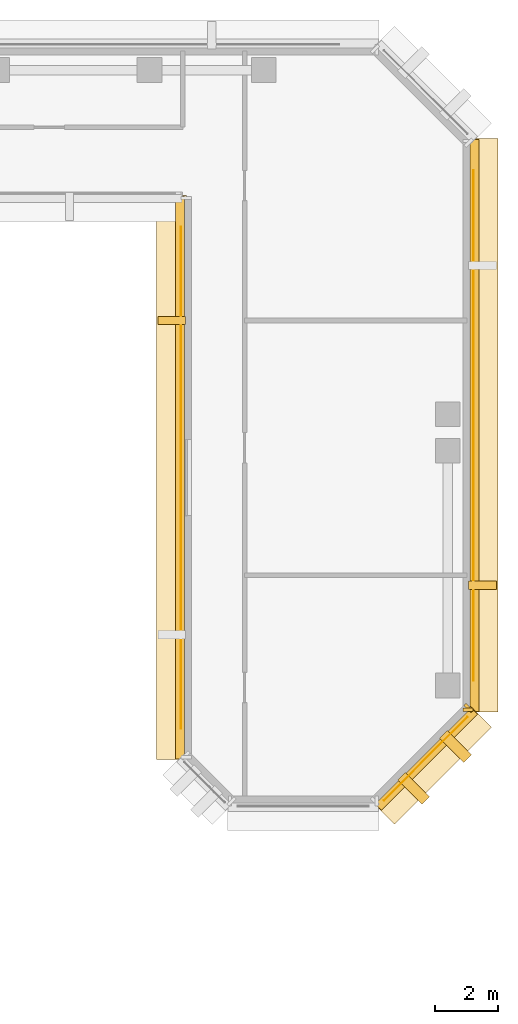
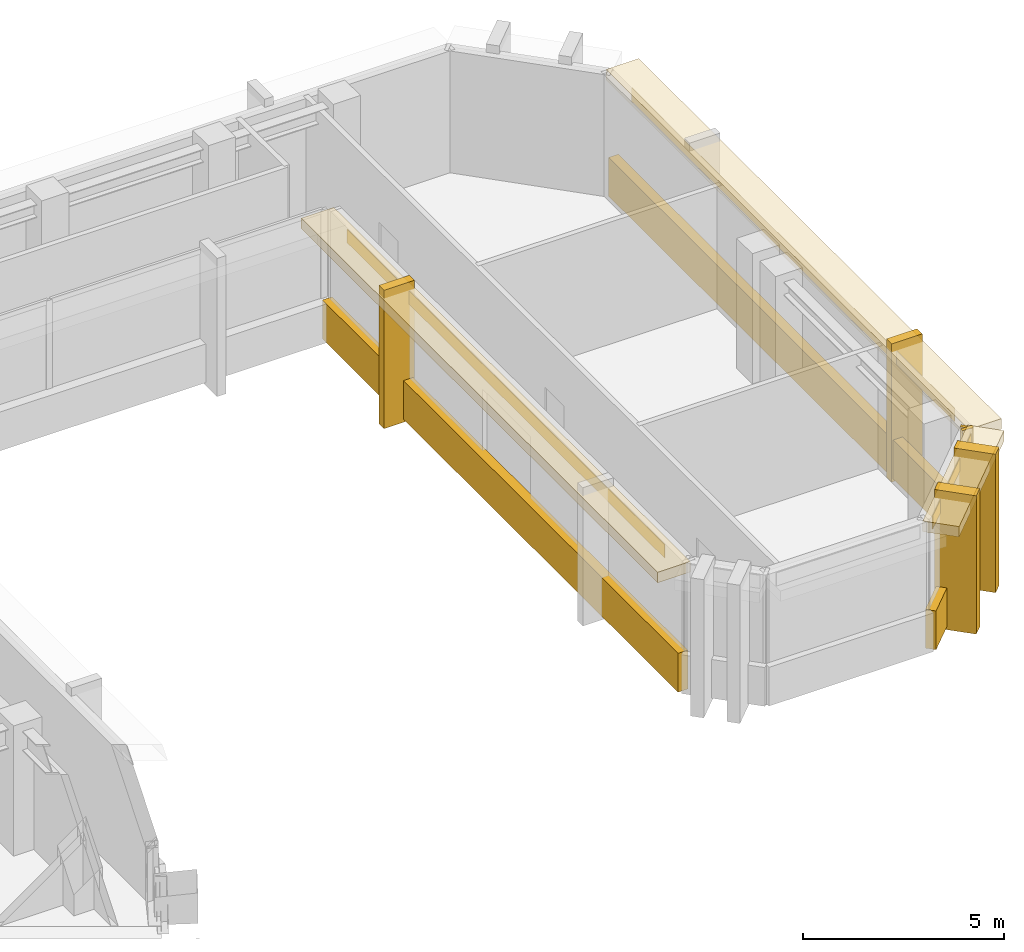
# One storey, part 9 of 11: 15 coverings.
"""IFC4 building model written with IfcOpenShell, lengths in metres."""

import ifcopenshell
import ifcopenshell.guid

model = None  # the IFC model being written
_history = None  # IfcOwnerHistory: only IFC2X3 demands one
_inside = {}  # id of a spatial element -> (the spatial element, [elements in it])
_under = {}  # id of a project, library or spatial element -> (it, [spatial elements below it])
_declared = {}  # id of a project -> (the project, [libraries it declares])
_typed = {}  # id of a type object -> (the type object, [elements of that type])
_made_of = {}  # id of a material, layer set ... -> (it, [elements and type objects made of it])


def new_model(schema):
    """Start an empty IFC model of exactly this schema.

    Asked for "IFC4X3", IfcOpenShell would pick the latest addendum, in which some entities
    have other attributes; the version numbers below select the first issue.
    IFC2X3 requires an IfcOwnerHistory on every rooted entity: one is made here for all.
    """
    global model, _history
    if schema == "IFC4X3":
        model = ifcopenshell.file(schema_version=(4, 3, 0, 0))
    else:
        model = ifcopenshell.file(schema=schema)
    _inside.clear()
    _under.clear()
    _declared.clear()
    _typed.clear()
    _made_of.clear()
    _history = None
    if model.schema == "IFC2X3":
        org = make("IfcOrganization", Name="unknown")
        user = make(
            "IfcPersonAndOrganization",
            ThePerson=make("IfcPerson", FamilyName="unknown"),
            TheOrganization=org,
        )
        app = make(
            "IfcApplication",
            ApplicationDeveloper=org,
            Version="unknown",
            ApplicationFullName="unknown",
            ApplicationIdentifier="unknown",
        )
        _history = make(
            "IfcOwnerHistory",
            OwningUser=user,
            OwningApplication=app,
            ChangeAction="ADDED",
            CreationDate=0,
        )
    return model


def make(cls, **values):
    """One entity of the class cls with the attributes given. An attribute that is None is left unset."""
    return model.create_entity(
        cls, **{name: value for name, value in values.items() if value is not None}
    )


def rooted(cls, **values):
    """An entity with a GlobalId (a new one), such as an element, a storey or a relation."""
    return make(cls, GlobalId=ifcopenshell.guid.new(), OwnerHistory=_history, **values)


def si_unit(unit_type, name, prefix=None):
    """IfcSIUnit, for example si_unit("LENGTHUNIT", "METRE", prefix="MILLI")."""
    return make("IfcSIUnit", UnitType=unit_type, Prefix=prefix, Name=name)


def assignment(units):
    """IfcUnitAssignment: the units of a project."""
    return None if units is None else make("IfcUnitAssignment", Units=units)


def point(xyz):
    """IfcCartesianPoint."""
    return None if xyz is None else make("IfcCartesianPoint", Coordinates=xyz)


def direction(xyz):
    """IfcDirection."""
    return None if xyz is None else make("IfcDirection", DirectionRatios=xyz)


def frame(location, z_axis=None, x_axis=None):
    """IfcAxis2Placement3D, a coordinate frame: its origin and axes. An axis left out is left unset."""
    return make(
        "IfcAxis2Placement3D",
        Location=point(location),
        Axis=direction(z_axis),
        RefDirection=direction(x_axis),
    )


def frame_2d(location, x_axis=None):
    """IfcAxis2Placement2D, a coordinate frame in the plane: its origin and x axis."""
    return make(
        "IfcAxis2Placement2D", Location=point(location), RefDirection=direction(x_axis)
    )


def origin():
    """The frame at (0, 0, 0) with its axes left unset."""
    return frame((0.0, 0.0, 0.0))


def origin_2d():
    """The frame at (0, 0) in the plane with its x axis left unset."""
    return frame_2d((0.0, 0.0))


def place(relative_to, where):
    """IfcLocalPlacement: puts the frame where relative to a parent placement (None: the world)."""
    return make(
        "IfcLocalPlacement", PlacementRelTo=relative_to, RelativePlacement=where
    )


def context(
    kind, dimensions, precision=None, world=None, true_north=None, identifier=None
):
    """IfcGeometricRepresentationContext, for example the 3D "Model" context."""
    return make(
        "IfcGeometricRepresentationContext",
        ContextIdentifier=identifier,
        ContextType=kind,
        CoordinateSpaceDimension=dimensions,
        Precision=precision,
        WorldCoordinateSystem=world,
        TrueNorth=true_north,
    )


def subcontext(parent, identifier, kind, view, scale=None):
    """IfcGeometricRepresentationSubContext, for example "Body" below "Model"."""
    return make(
        "IfcGeometricRepresentationSubContext",
        ContextIdentifier=identifier,
        ContextType=kind,
        ParentContext=parent,
        TargetScale=scale,
        TargetView=view,
    )


def project(units=None, contexts=None):
    """IfcProject with its units and contexts."""
    return rooted(
        "IfcProject",
        Name="project",
        RepresentationContexts=contexts,
        UnitsInContext=assignment(units),
    )


def spatial(cls, under=None, at=None, **own):
    """A site, building, storey or space (cls), placed at a placement, below another one or the project."""
    s = rooted(cls, ObjectPlacement=at, **own)
    if under is not None:
        _under.setdefault(under.id(), (under, []))[1].append(s)
    return s


def profile(cls, at=None, kind="AREA", **sizes):
    """A parametric profile (cls). Its sizes go by their IFC names, for example OverallWidth=200.0."""
    return make(cls, ProfileType=kind, Position=at, **sizes)


def rectangle(**sizes):
    """IfcRectangleProfileDef."""
    return profile("IfcRectangleProfileDef", **sizes)


def extrude(swept, where, along, depth):
    """IfcExtrudedAreaSolid: the profile swept, set in the frame where, extruded along a direction by depth."""
    return make(
        "IfcExtrudedAreaSolid",
        SweptArea=swept,
        Position=where,
        ExtrudedDirection=direction(along),
        Depth=depth,
    )


def shape(context_of_items, identifier, shape_type, items):
    """IfcShapeRepresentation: the items that make up one representation, for example the "Body"."""
    return make(
        "IfcShapeRepresentation",
        ContextOfItems=context_of_items,
        RepresentationIdentifier=identifier,
        RepresentationType=shape_type,
        Items=items,
    )


def material(Name=None, Category=None):
    """IfcMaterial."""
    return make("IfcMaterial", Name=Name, Category=Category)


def layer(
    of_material, thickness, ventilated=None, Name=None, Category=None, Priority=None
):
    """IfcMaterialLayer: one layer of a wall or slab, of a material (None: an air gap)."""
    return make(
        "IfcMaterialLayer",
        Material=of_material,
        LayerThickness=thickness,
        IsVentilated=ventilated,
        Name=Name,
        Category=Category,
        Priority=Priority,
    )


def layer_set(layers, Name=None):
    """IfcMaterialLayerSet."""
    return make("IfcMaterialLayerSet", MaterialLayers=layers, LayerSetName=Name)


def made_of(thing, what):
    """Note that an element or type object is made of a material, layer set ...; save() writes the relation."""
    if what is not None:
        _made_of.setdefault(what.id(), (what, []))[1].append(thing)
    return thing


def type_object(cls, material=None, **own):
    """A type object (cls), such as IfcWallType, which elements share."""
    return made_of(rooted(cls, **own), material)


def element(
    cls,
    number,
    at=None,
    inside=None,
    cuts=None,
    type_object=None,
    material=None,
    context=None,
    identifier="Body",
    shape_type=None,
    held_by="IfcProductDefinitionShape",
    body=None,
    shapes=None,
    **own,
):
    """One element of the class cls, such as IfcWall. Its Tag is "e" and its number.

    at: its placement. inside: the storey or other place that contains it. cuts: it is an
    opening in that element (IfcRelVoidsElement). A single representation is given by context,
    identifier, shape_type and body (its items); several are given by shapes. held_by: the class
    of the entity that holds the representations. save() writes the other relations.
    """
    e = rooted(cls, Tag="e%d" % number, ObjectPlacement=at, **own)
    if body is not None:
        shapes = [shape(context, identifier, shape_type, body)]
    if shapes is not None:
        e.Representation = make(held_by, Representations=shapes)
    if inside is not None:
        _inside.setdefault(inside.id(), (inside, []))[1].append(e)
    if cuts is not None:
        rooted(
            "IfcRelVoidsElement", RelatingBuildingElement=cuts, RelatedOpeningElement=e
        )
    if type_object is not None:
        _typed.setdefault(type_object.id(), (type_object, []))[1].append(e)
    return made_of(e, material)


def aggregate(whole, parts):
    """IfcRelAggregates: a whole, such as a stair, and the parts it consists of."""
    return rooted("IfcRelAggregates", RelatingObject=whole, RelatedObjects=parts)


def save(model, path):
    """Write the relations noted so far, then the file.

    IfcRelAggregates (storeys below a building ...), IfcRelContainedInSpatialStructure (elements
    in a storey), IfcRelDefinesByType, IfcRelAssociatesMaterial and IfcRelDeclares: one each for
    every whole, place, type object, material and project.
    """
    for whole, parts in _under.values():
        aggregate(whole, parts)
    for where, things in _inside.values():
        rooted(
            "IfcRelContainedInSpatialStructure",
            RelatedElements=things,
            RelatingStructure=where,
        )
    for kind, things in _typed.values():
        rooted("IfcRelDefinesByType", RelatedObjects=things, RelatingType=kind)
    for what, things in _made_of.values():
        rooted("IfcRelAssociatesMaterial", RelatedObjects=things, RelatingMaterial=what)
    for by, libraries in _declared.values():
        rooted("IfcRelDeclares", RelatingContext=by, RelatedDefinitions=libraries)
    model.write(path)


model = new_model("IFC4")

# Units and contexts
model_context = context("Model", 3, precision=1e-05, world=origin(), true_north=direction((0.0, 1.0)))
body_context = subcontext(model_context, "Body", "Model", "MODEL_VIEW")
ifc_project = project(units=[si_unit("LENGTHUNIT", "METRE"), si_unit("AREAUNIT", "SQUARE_METRE"), si_unit("VOLUMEUNIT", "CUBIC_METRE"), si_unit("PLANEANGLEUNIT", "RADIAN"), si_unit("MASSUNIT", "GRAM", prefix="KILO")], contexts=[model_context])

# Site, building, storey
site_placement = place(None, origin())
site = spatial("IfcSite", under=ifc_project, at=site_placement, CompositionType="ELEMENT")
building_placement = place(site_placement, origin())
building = spatial("IfcBuilding", under=site, at=building_placement, Name="Kefirva Bronze Tower", CompositionType="ELEMENT")
storey_placement = place(building_placement, frame((0.0, 0.0, 243.5400390625)))
storey = spatial("IfcBuildingStorey", under=building, at=storey_placement, Name="L59", CompositionType="ELEMENT", Elevation=243.5400390625)

# Coverings
ifc_material = material(Name="Bronze anodised aluminium", Category="aluminium")
ifc_layer_1 = layer(ifc_material, 0.02001953125, Name="Bronze anodised aluminium")
ifc_layer_set_1 = layer_set([ifc_layer_1], Name="Bronze anodised aluminium")
covering_type_1 = type_object("IfcCoveringType", Name="Anodised Bronze Spandrel Cladding 20mm", PredefinedType="CLADDING", material=ifc_layer_set_1)
covering_1_placement = place(storey_placement, frame((40.989990234375, 32.35009765625, 3.2900390625), z_axis=(0.0, 0.0, 1.0), x_axis=(0.0, -1.0, 0.0)))
element("IfcCovering", 1, at=covering_1_placement, inside=storey, type_object=covering_type_1, Name="L59 Bronze Spandrel Cladding 5", PredefinedType="CLADDING", context=body_context, shape_type="SweptSolid", body=[
    extrude(rectangle(XDim=15.8310546875, YDim=0.02001953125, at=origin_2d()), origin(), (0.0, 0.0, 1.0), 0.39990234375),
])
covering_2_placement = place(storey_placement, frame((40.9599609375, 32.35009765625, -0.16015625), z_axis=(0.0, 0.0, 1.0), x_axis=(0.0, -1.0, 0.0)))
element("IfcCovering", 2, at=covering_2_placement, inside=storey, type_object=covering_type_1, Name="L59 Streamline Horizontal Spandrel Band 7", PredefinedType="CLADDING", context=body_context, shape_type="SweptSolid", body=[
    extrude(rectangle(XDim=17.739990234375, YDim=0.280029296875, at=origin_2d()), origin(), (0.0, 0.0, 1.0), 1.179931640625),
])
covering_3_placement = place(storey_placement, frame((48.70703125, 23.492919921875, 3.2900390625), z_axis=(0.0, 0.0, 1.0), x_axis=(0.707106781187, 0.707106781187, 0.0)))
element("IfcCovering", 3, at=covering_3_placement, inside=storey, type_object=covering_type_1, Name="L59 Bronze Spandrel Cladding 8", PredefinedType="CLADDING", context=body_context, shape_type="SweptSolid", body=[
    extrude(rectangle(XDim=3.719482421875, YDim=0.02001953125, at=origin_2d()), origin(), (0.0, 0.0, 1.0), 0.39990234375),
])
covering_4_placement = place(storey_placement, frame((50.06201171875, 25.08837890625, 0.0), z_axis=(0.0, 0.0, 1.0), x_axis=(0.707106781187, 0.707106781187, 0.0)))
element("IfcCovering", 4, at=covering_4_placement, inside=storey, type_object=covering_type_1, Name="L59 Facade Joint Closure Panel 8E", PredefinedType="CLADDING", context=body_context, shape_type="SweptSolid", body=[
    extrude(rectangle(XDim=0.10009765625, YDim=0.320068359375, at=origin_2d()), origin(), (0.0, 0.0, 1.0), 3.7099609375),
])
covering_5_placement = place(storey_placement, frame((48.728271484375, 23.4716796875, -0.16015625), z_axis=(0.0, 0.0, 1.0), x_axis=(0.707106781187, 0.707106781187, 0.0)))
element("IfcCovering", 5, at=covering_5_placement, inside=storey, type_object=covering_type_1, Name="L59 Streamline Horizontal Spandrel Band 10", PredefinedType="CLADDING", context=body_context, shape_type="SweptSolid", body=[
    extrude(rectangle(XDim=4.28271484375, YDim=0.280029296875, at=origin_2d()), origin(), (0.0, 0.0, 1.0), 1.179931640625),
])
covering_6_placement = place(storey_placement, frame((50.2099609375, 34.0, 3.2900390625), z_axis=(0.0, 0.0, 1.0), x_axis=(0.0, 1.0, 0.0)))
element("IfcCovering", 6, at=covering_6_placement, inside=storey, type_object=covering_type_1, Name="L59 Bronze Spandrel Cladding 9", PredefinedType="CLADDING", context=body_context, shape_type="SweptSolid", body=[
    extrude(rectangle(XDim=16.10107421875, YDim=0.02001953125, at=origin_2d()), origin(), (0.0, 0.0, 1.0), 0.39990234375),
])
covering_7_placement = place(storey_placement, frame((50.0400390625, 25.034912109375, 0.0), z_axis=(0.0, 0.0, 1.0), x_axis=(0.0, 1.0, 0.0)))
element("IfcCovering", 7, at=covering_7_placement, inside=storey, type_object=covering_type_1, Name="L59 Facade Joint Closure Panel 9S", PredefinedType="CLADDING", context=body_context, shape_type="SweptSolid", body=[
    extrude(rectangle(XDim=0.10009765625, YDim=0.320068359375, at=origin_2d()), origin(), (0.0, 0.0, 1.0), 3.7099609375),
])
covering_8_placement = place(storey_placement, frame((50.239990234375, 34.0, -0.16015625), z_axis=(0.0, 0.0, 1.0), x_axis=(0.0, 1.0, 0.0)))
element("IfcCovering", 8, at=covering_8_placement, inside=storey, type_object=covering_type_1, Name="L59 Streamline Horizontal Spandrel Band 11", PredefinedType="CLADDING", context=body_context, shape_type="SweptSolid", body=[
    extrude(rectangle(XDim=18.0400390625, YDim=0.280029296875, at=origin_2d()), origin(), (0.0, 0.0, 1.0), 1.179931640625),
])
ifc_layer_2 = layer(ifc_material, 0.179931640625, Name="Bronze anodised aluminium")
ifc_layer_set_2 = layer_set([ifc_layer_2], Name="Bronze anodised aluminium")
covering_type_2 = type_object("IfcCoveringType", Name="Streamline Bronze Sunshade Eyebrow Cladding 180mm", PredefinedType="CLADDING", material=ifc_layer_set_2)
covering_9_placement = place(storey_placement, frame((40.68994140625, 32.35009765625, 3.39013671875), z_axis=(0.0, 0.0, 1.0), x_axis=(0.0, -1.0, 0.0)))
element("IfcCovering", 9, at=covering_9_placement, inside=storey, type_object=covering_type_2, Name="L59 Streamline Bronze Sunshade Eyebrow 7", PredefinedType="CLADDING", context=body_context, shape_type="SweptSolid", body=[
    extrude(rectangle(XDim=17.780029296875, YDim=0.93994140625, at=origin_2d()), origin(), (0.0, 0.0, 1.0), 0.320068359375),
])
covering_10_placement = place(storey_placement, frame((48.919189453125, 23.28076171875, 3.39013671875), z_axis=(0.0, 0.0, 1.0), x_axis=(0.707106781187, 0.707106781187, 0.0)))
element("IfcCovering", 10, at=covering_10_placement, inside=storey, type_object=covering_type_2, Name="L59 Streamline Bronze Sunshade Eyebrow 10", PredefinedType="CLADDING", context=body_context, shape_type="SweptSolid", body=[
    extrude(rectangle(XDim=4.322509765625, YDim=0.93994140625, at=origin_2d()), origin(), (0.0, 0.0, 1.0), 0.320068359375),
])
covering_11_placement = place(storey_placement, frame((50.510009765625, 34.0, 3.39013671875), z_axis=(0.0, 0.0, 1.0), x_axis=(0.0, 1.0, 0.0)))
element("IfcCovering", 11, at=covering_11_placement, inside=storey, type_object=covering_type_2, Name="L59 Streamline Bronze Sunshade Eyebrow 11", PredefinedType="CLADDING", context=body_context, shape_type="SweptSolid", body=[
    extrude(rectangle(XDim=18.080078125, YDim=0.93994140625, at=origin_2d()), origin(), (0.0, 0.0, 1.0), 0.320068359375),
])
ifc_layer_3 = layer(ifc_material, 0.260009765625, Name="Bronze anodised aluminium")
ifc_layer_set_3 = layer_set([ifc_layer_3], Name="Bronze anodised aluminium")
covering_type_3 = type_object("IfcCoveringType", Name="Unbroken Bronze Buttress Fin Cladding 260mm", PredefinedType="CLADDING", material=ifc_layer_set_3)
covering_12_placement = place(storey_placement, frame((40.699951171875, 37.305908203125, -0.25), z_axis=(0.0, 0.0, 1.0), x_axis=(0.0, -1.0, 0.0)))
element("IfcCovering", 12, at=covering_12_placement, inside=storey, type_object=covering_type_3, Name="L59 Unbroken Vertical Bronze Rib Fin 13", PredefinedType="CLADDING", context=body_context, shape_type="SweptSolid", body=[
    extrude(rectangle(XDim=0.260009765625, YDim=0.8798828125, at=origin_2d()), origin(), (0.0, 0.0, 1.0), 4.2099609375),
])
for number, where, z_axis, x_axis, name in (
    (13, (48.32275390625, 22.55712890625, -0.25), (0.0, 0.0, 1.0), (0.707106781187, 0.707106781187, 0.0), "L59 Chamfered Corner Buttress Fin Cladding 17"),
    (14, (49.642822265625, 23.877197265625, -0.25), (0.0, 0.0, 1.0), (0.707106781187, 0.707106781187, 0.0), "L59 Chamfered Corner Buttress Fin Cladding 18"),
):
    element("IfcCovering", number, at=place(storey_placement, frame(where, z_axis=z_axis, x_axis=x_axis)), inside=storey, type_object=covering_type_3, Name=name, PredefinedType="CLADDING", context=body_context, shape_type="SweptSolid", body=[
        extrude(rectangle(XDim=0.340087890625, YDim=1.080078125, at=origin_2d()), origin(), (0.0, 0.0, 1.0), 4.2099609375),
    ])
covering_13_placement = place(storey_placement, frame((50.5, 28.9599609375, -0.25), z_axis=(0.0, 0.0, 1.0), x_axis=(0.0, 1.0, 0.0)))
element("IfcCovering", 15, at=covering_13_placement, inside=storey, type_object=covering_type_3, Name="L59 Unbroken Vertical Bronze Rib Fin 19", PredefinedType="CLADDING", context=body_context, shape_type="SweptSolid", body=[
    extrude(rectangle(XDim=0.260009765625, YDim=0.8798828125, at=origin_2d()), origin(), (0.0, 0.0, 1.0), 4.2099609375),
])

save(model, "model.ifc")
